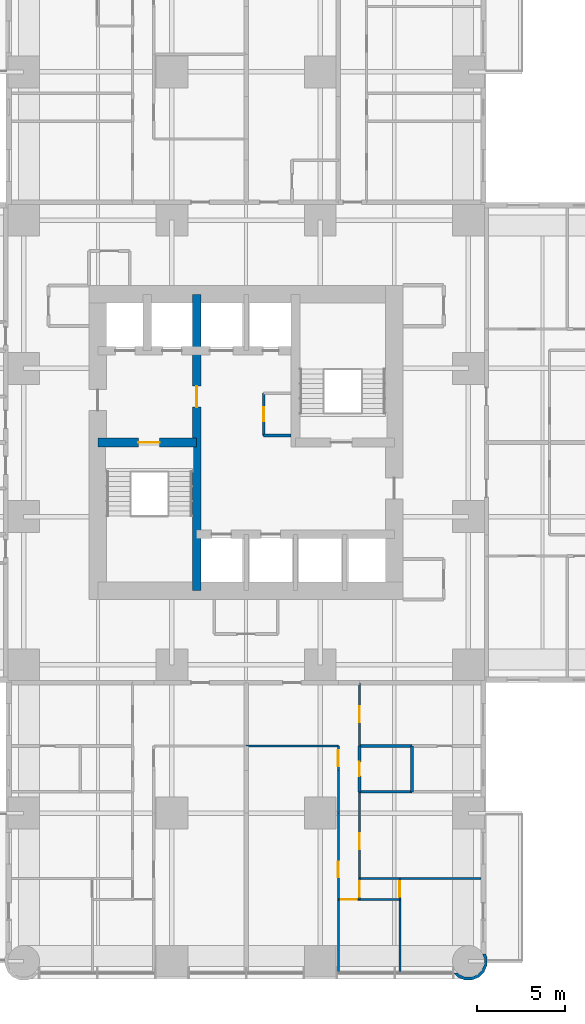
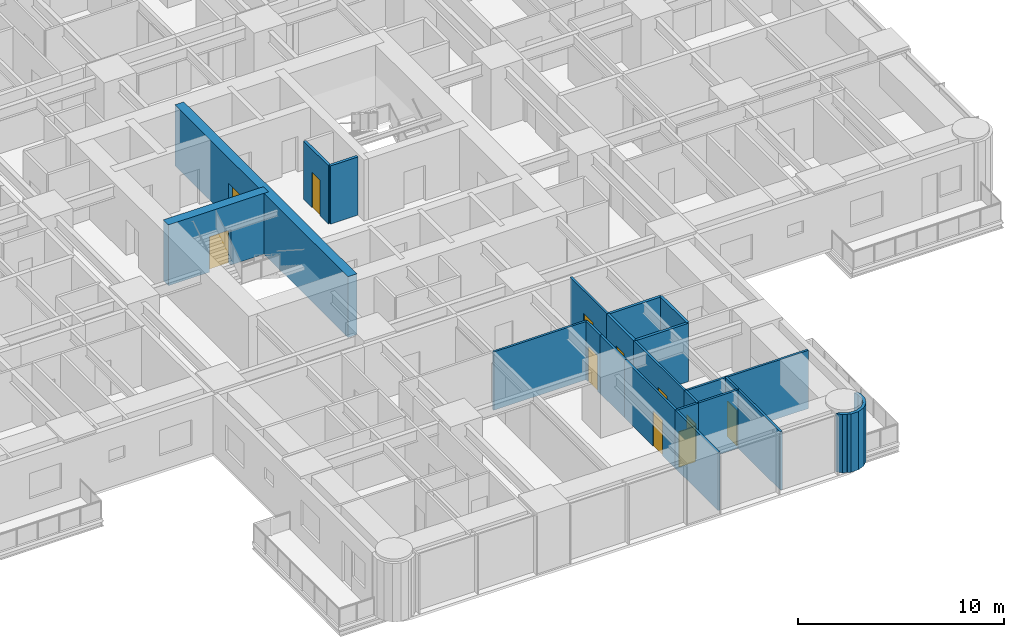
# One storey, part 9 of 17: 23 walls, 11 doors, 11 openings.
"""IFC4 building model written with IfcOpenShell, lengths in metres."""

from ifc_helpers import new_model, si_unit, direction, frame, frame_2d, origin, place, context, subcontext, project, spatial, polyline, rectangle, outline, extrude, material, layer, layer_set, type_object, element, fill, save


model = new_model("IFC4")

# Units and contexts
model_context = context("Model", 3, precision=1e-05, world=origin(), true_north=direction((0.0, 1.0)))
body_context = subcontext(model_context, "Body", "Model", "MODEL_VIEW")
ifc_project = project(units=[si_unit("LENGTHUNIT", "METRE"), si_unit("AREAUNIT", "SQUARE_METRE"), si_unit("VOLUMEUNIT", "CUBIC_METRE"), si_unit("PLANEANGLEUNIT", "RADIAN"), si_unit("MASSUNIT", "GRAM", prefix="KILO")], contexts=[model_context])

# Site, building, storey
site_placement = place(None, origin())
site = spatial("IfcSite", under=ifc_project, at=site_placement, CompositionType="ELEMENT")
building_placement = place(site_placement, origin())
building = spatial("IfcBuilding", under=site, at=building_placement, Name="Torre Alcanfor", CompositionType="ELEMENT")
storey_placement = place(building_placement, frame((0.0, 0.0, 66.89990234375)))
storey = spatial("IfcBuildingStorey", under=building, at=storey_placement, Name="L16", CompositionType="ELEMENT", Elevation=66.89990234375)

# Wall
ifc_material_1 = material(Name="Gypsum board on steel studs", Category="steel")
ifc_layer_1 = layer(ifc_material_1, 0.1201171875)
ifc_layer_set_1 = layer_set([ifc_layer_1], Name="Apartment partition 120")
wall_type_1 = type_object("IfcWallType", Name="Apartment partition 120", PredefinedType="PARTITIONING", material=ifc_layer_set_1)
wall_1_placement = place(storey_placement, frame((29.39990234375, 12.199951171875, 0.0), z_axis=(0.0, 0.0, 1.0), x_axis=(1.0, 0.0, 0.0)))
element("IfcWall", 1, at=wall_1_placement, inside=storey, type_object=wall_type_1, Name="Partition L16-S1-ZAG / L16-S1-LAUND", PredefinedType="PARTITIONING", context=body_context, shape_type="SweptSolid", body=[
    extrude(rectangle(XDim=5.22900390625, YDim=0.1201171875, at=frame_2d((2.614501953125, 0.0))), origin(), (0.0, 0.0, 1.0), 3.4501953125),
])

# Wall, opening, door
wall_2_placement = place(storey_placement, frame((34.62890625, 10.800048828125, 0.0), z_axis=(0.0, 0.0, 1.0), x_axis=(0.0, 1.0, 0.0)))
wall_2 = element("IfcWall", 2, at=wall_2_placement, inside=storey, type_object=wall_type_1, Name="Partition L16-S1-LAUND / L16-S1-HALL", PredefinedType="PARTITIONING", context=body_context, shape_type="SweptSolid", body=[
    extrude(rectangle(XDim=1.39990234375, YDim=0.1201171875, at=frame_2d((0.699951171875, 0.0))), origin(), (0.0, 0.0, 1.0), 3.4501953125),
])
opening_1_placement = place(wall_2_placement, frame((0.25, 0.0, 0.0)))
opening_1 = element("IfcOpeningElement", 3, at=opening_1_placement, cuts=wall_2, Name="Opening D-R1", PredefinedType="OPENING", context=body_context, shape_type="SweptSolid", body=[
    extrude(rectangle(XDim=0.89990234375, YDim=2.10009765625, at=frame_2d((0.449951171875, 1.050048828125))), frame((0.0, 0.070068359375, 0.0), z_axis=(0.0, -1.0, 0.0), x_axis=(1.0, 0.0, 0.0)), (0.0, 0.0, 1.0), 0.14013671875),
])
ifc_material_2 = material(Name="Timber", Category="wood")
door_type_1 = type_object("IfcDoorType", Name="Internal door 900x2100", OperationType="SINGLE_SWING_LEFT", PredefinedType="DOOR", material=ifc_material_2)
door_1_placement = place(opening_1_placement, origin())
door_1 = element("IfcDoor", 4, at=door_1_placement, inside=storey, type_object=door_type_1, Name="Door L16-S1 laund", OperationType="SINGLE_SWING_LEFT", OverallHeight=2.10009765625, OverallWidth=0.89990234375, PredefinedType="DOOR", context=body_context, shape_type="SweptSolid", body=[
    extrude(rectangle(XDim=0.89990234375, YDim=2.10009765625, at=frame_2d((0.449951171875, 1.050048828125))), frame((0.0, 0.02490234375, 0.0), z_axis=(0.0, -1.0, 0.0), x_axis=(1.0, 0.0, 0.0)), (0.0, 0.0, 1.0), 0.050048828125),
])
fill(opening_1, door_1)

# Wall
wall_3_placement = place(storey_placement, frame((34.62890625, 8.39990234375, 0.0), z_axis=(0.0, 0.0, 1.0), x_axis=(0.0, 1.0, 0.0)))
element("IfcWall", 5, at=wall_3_placement, inside=storey, type_object=wall_type_1, Name="Partition L16-S1-KITCHEN / L16-S1-HALL", PredefinedType="PARTITIONING", context=body_context, shape_type="SweptSolid", body=[
    extrude(rectangle(XDim=2.400146484375, YDim=0.1201171875, at=frame_2d((1.2001953125, 0.0))), origin(), (0.0, 0.0, 1.0), 3.4501953125),
])

# Wall, opening, door
wall_4_placement = place(storey_placement, frame((34.62890625, 3.5, 0.0), z_axis=(0.0, 0.0, 1.0), x_axis=(0.0, 1.0, 0.0)))
wall_4 = element("IfcWall", 6, at=wall_4_placement, inside=storey, type_object=wall_type_1, Name="Partition L16-S1-LIVING / L16-S1-HALL", PredefinedType="PARTITIONING", context=body_context, shape_type="SweptSolid", body=[
    extrude(rectangle(XDim=4.89990234375, YDim=0.1201171875, at=frame_2d((2.449951171875, 0.0))), origin(), (0.0, 0.0, 1.0), 3.4501953125),
])
opening_2_placement = place(wall_4_placement, frame((1.25, 0.0, 0.0)))
opening_2 = element("IfcOpeningElement", 7, at=opening_2_placement, cuts=wall_4, Name="Opening D-R1", PredefinedType="OPENING", context=body_context, shape_type="SweptSolid", body=[
    extrude(rectangle(XDim=0.89990234375, YDim=2.10009765625, at=frame_2d((0.449951171875, 1.050048828125))), frame((0.0, 0.070068359375, 0.0), z_axis=(0.0, -1.0, 0.0), x_axis=(1.0, 0.0, 0.0)), (0.0, 0.0, 1.0), 0.14013671875),
])
door_2_placement = place(opening_2_placement, origin())
door_2 = element("IfcDoor", 8, at=door_2_placement, inside=storey, type_object=door_type_1, Name="Door L16-S1 living", OperationType="SINGLE_SWING_RIGHT", OverallHeight=2.10009765625, OverallWidth=0.89990234375, PredefinedType="DOOR", context=body_context, shape_type="SweptSolid", body=[
    extrude(rectangle(XDim=0.89990234375, YDim=2.10009765625, at=frame_2d((0.449951171875, 1.050048828125))), frame((0.0, 0.02490234375, 0.0), z_axis=(0.0, -1.0, 0.0), x_axis=(1.0, 0.0, 0.0)), (0.0, 0.0, 1.0), 0.050048828125),
])
fill(opening_2, door_2)

# Wall
wall_5_placement = place(storey_placement, frame((34.62890625, -0.64990234375, 0.0), z_axis=(0.0, 0.0, 1.0), x_axis=(0.0, 1.0, 0.0)))
element("IfcWall", 9, at=wall_5_placement, inside=storey, type_object=wall_type_1, Name="Partition L16-S1-LIVING / L16-S1-BED2", PredefinedType="PARTITIONING", context=body_context, shape_type="SweptSolid", body=[
    extrude(rectangle(XDim=4.14990234375, YDim=0.1201171875, at=frame_2d((2.074951171875, 0.0))), origin(), (0.0, 0.0, 1.0), 3.4501953125),
])

# Wall, opening, door
wall_6_placement = place(storey_placement, frame((35.8291015625, 12.199951171875, 0.0), z_axis=(0.0, 0.0, 1.0), x_axis=(0.0, 1.0, 0.0)))
wall_6 = element("IfcWall", 10, at=wall_6_placement, inside=storey, type_object=wall_type_1, Name="Partition L16-S1-HALL / L16-S1-SERV", PredefinedType="PARTITIONING", context=body_context, shape_type="SweptSolid", body=[
    extrude(rectangle(XDim=3.574951171875, YDim=0.1201171875, at=frame_2d((1.78759765625, 0.0))), origin(), (0.0, 0.0, 1.0), 3.4501953125),
])
opening_3_placement = place(wall_6_placement, frame((1.35009765625, 0.0, 0.0)))
opening_3 = element("IfcOpeningElement", 11, at=opening_3_placement, cuts=wall_6, Name="Opening D-R1", PredefinedType="OPENING", context=body_context, shape_type="SweptSolid", body=[
    extrude(rectangle(XDim=0.89990234375, YDim=2.10009765625, at=frame_2d((0.449951171875, 1.050048828125))), frame((0.0, 0.070068359375, 0.0), z_axis=(0.0, -1.0, 0.0), x_axis=(1.0, 0.0, 0.0)), (0.0, 0.0, 1.0), 0.14013671875),
])
door_3_placement = place(opening_3_placement, frame((0.89990234375, 0.0, 0.0), z_axis=(0.0, 0.0, 1.0), x_axis=(-1.0, 0.0, 0.0)))
door_3 = element("IfcDoor", 12, at=door_3_placement, inside=storey, type_object=door_type_1, Name="Door L16-S1 serv", OperationType="SINGLE_SWING_LEFT", OverallHeight=2.10009765625, OverallWidth=0.89990234375, PredefinedType="DOOR", context=body_context, shape_type="SweptSolid", body=[
    extrude(rectangle(XDim=0.89990234375, YDim=2.10009765625, at=frame_2d((0.449951171875, 1.050048828125))), frame((0.0, 0.025146484375, 0.0), z_axis=(0.0, -1.0, 0.0), x_axis=(1.0, 0.0, 0.0)), (0.0, 0.0, 1.0), 0.050048828125),
])
fill(opening_3, door_3)

wall_7_placement = place(storey_placement, frame((35.8291015625, 4.699951171875, 0.0), z_axis=(0.0, 0.0, 1.0), x_axis=(0.0, 1.0, 0.0)))
wall_7 = element("IfcWall", 13, at=wall_7_placement, inside=storey, type_object=wall_type_1, Name="Partition L16-S1-HALL / L16-S1-BED3", PredefinedType="PARTITIONING", context=body_context, shape_type="SweptSolid", body=[
    extrude(rectangle(XDim=4.900146484375, YDim=0.1201171875, at=frame_2d((2.4501953125, 0.0))), origin(), (0.0, 0.0, 1.0), 3.4501953125),
])
opening_4_placement = place(wall_7_placement, frame((1.64990234375, 0.0, 0.0)))
opening_4 = element("IfcOpeningElement", 14, at=opening_4_placement, cuts=wall_7, Name="Opening D-R1", PredefinedType="OPENING", context=body_context, shape_type="SweptSolid", body=[
    extrude(rectangle(XDim=0.89990234375, YDim=2.10009765625, at=frame_2d((0.449951171875, 1.050048828125))), frame((0.0, 0.070068359375, 0.0), z_axis=(0.0, -1.0, 0.0), x_axis=(1.0, 0.0, 0.0)), (0.0, 0.0, 1.0), 0.14013671875),
])
door_4_placement = place(opening_4_placement, frame((0.89990234375, 0.0, 0.0), z_axis=(0.0, 0.0, 1.0), x_axis=(-1.0, 0.0, 0.0)))
door_4 = element("IfcDoor", 15, at=door_4_placement, inside=storey, type_object=door_type_1, Name="Door L16-S1 bed3", OperationType="SINGLE_SWING_RIGHT", OverallHeight=2.10009765625, OverallWidth=0.89990234375, PredefinedType="DOOR", context=body_context, shape_type="SweptSolid", body=[
    extrude(rectangle(XDim=0.89990234375, YDim=2.10009765625, at=frame_2d((0.449951171875, 1.050048828125))), frame((0.0, 0.025146484375, 0.0), z_axis=(0.0, -1.0, 0.0), x_axis=(1.0, 0.0, 0.0)), (0.0, 0.0, 1.0), 0.050048828125),
])
fill(opening_4, door_4)

wall_8_placement = place(storey_placement, frame((35.8291015625, 3.5, 0.0), z_axis=(0.0, 0.0, 1.0), x_axis=(0.0, 1.0, 0.0)))
wall_8 = element("IfcWall", 16, at=wall_8_placement, inside=storey, type_object=wall_type_1, Name="Partition L16-S1-HALL / L16-S1-VEST", PredefinedType="PARTITIONING", context=body_context, shape_type="SweptSolid", body=[
    extrude(rectangle(XDim=1.199951171875, YDim=0.1201171875, at=frame_2d((0.60009765625, 0.0))), origin(), (0.0, 0.0, 1.0), 3.4501953125),
])
opening_5_placement = place(wall_8_placement, frame((0.14990234375, 0.0, 0.0)))
opening_5 = element("IfcOpeningElement", 17, at=opening_5_placement, cuts=wall_8, Name="Opening D-R1", PredefinedType="OPENING", context=body_context, shape_type="SweptSolid", body=[
    extrude(rectangle(XDim=0.89990234375, YDim=2.10009765625, at=frame_2d((0.449951171875, 1.050048828125))), frame((0.0, 0.070068359375, 0.0), z_axis=(0.0, -1.0, 0.0), x_axis=(1.0, 0.0, 0.0)), (0.0, 0.0, 1.0), 0.14013671875),
])
door_5_placement = place(opening_5_placement, frame((0.89990234375, 0.0, 0.0), z_axis=(0.0, 0.0, 1.0), x_axis=(-1.0, 0.0, 0.0)))
door_5 = element("IfcDoor", 18, at=door_5_placement, inside=storey, type_object=door_type_1, Name="Door L16-S1 vest", OperationType="SINGLE_SWING_RIGHT", OverallHeight=2.10009765625, OverallWidth=0.89990234375, PredefinedType="DOOR", context=body_context, shape_type="SweptSolid", body=[
    extrude(rectangle(XDim=0.89990234375, YDim=2.10009765625, at=frame_2d((0.449951171875, 1.050048828125))), frame((0.0, 0.025146484375, 0.0), z_axis=(0.0, -1.0, 0.0), x_axis=(1.0, 0.0, 0.0)), (0.0, 0.0, 1.0), 0.050048828125),
])
fill(opening_5, door_5)

wall_9_placement = place(storey_placement, frame((34.62890625, 3.5, 0.0), z_axis=(0.0, 0.0, 1.0), x_axis=(1.0, 0.0, 0.0)))
wall_9 = element("IfcWall", 19, at=wall_9_placement, inside=storey, type_object=wall_type_1, Name="Partition L16-S1-HALL / L16-S1-BED2", PredefinedType="PARTITIONING", context=body_context, shape_type="SweptSolid", body=[
    extrude(rectangle(XDim=1.2001953125, YDim=0.1201171875, at=frame_2d((0.60009765625, 0.0))), origin(), (0.0, 0.0, 1.0), 3.4501953125),
])
opening_6_placement = place(wall_9_placement, frame((0.15087890625, 0.0, 0.0)))
opening_6 = element("IfcOpeningElement", 20, at=opening_6_placement, cuts=wall_9, Name="Opening D-R1", PredefinedType="OPENING", context=body_context, shape_type="SweptSolid", body=[
    extrude(rectangle(XDim=0.89990234375, YDim=2.10009765625, at=frame_2d((0.449951171875, 1.050048828125))), frame((0.0, 0.070068359375, 0.0), z_axis=(0.0, -1.0, 0.0), x_axis=(1.0, 0.0, 0.0)), (0.0, 0.0, 1.0), 0.14013671875),
])
door_6_placement = place(opening_6_placement, frame((0.89990234375, 0.0, 0.0), z_axis=(0.0, 0.0, 1.0), x_axis=(-1.0, 0.0, 0.0)))
door_6 = element("IfcDoor", 21, at=door_6_placement, inside=storey, type_object=door_type_1, Name="Door L16-S1 bed2", OperationType="SINGLE_SWING_RIGHT", OverallHeight=2.10009765625, OverallWidth=0.89990234375, PredefinedType="DOOR", context=body_context, shape_type="SweptSolid", body=[
    extrude(rectangle(XDim=0.89990234375, YDim=2.10009765625, at=frame_2d((0.449951171875, 1.050048828125))), frame((0.0, 0.025146484375, 0.0), z_axis=(0.0, -1.0, 0.0), x_axis=(1.0, 0.0, 0.0)), (0.0, 0.0, 1.0), 0.050048828125),
])
fill(opening_6, door_6)

# Walls
wall_10_placement = place(storey_placement, frame((35.8291015625, 4.699951171875, 0.0), z_axis=(0.0, 0.0, 1.0), x_axis=(1.0, 0.0, 0.0)))
element("IfcWall", 22, at=wall_10_placement, inside=storey, type_object=wall_type_1, Name="Partition L16-S1-BED3 / L16-S1-VEST", PredefinedType="PARTITIONING", context=body_context, shape_type="SweptSolid", body=[
    extrude(rectangle(XDim=2.284912109375, YDim=0.1201171875, at=frame_2d((1.142578125, 0.0))), origin(), (0.0, 0.0, 1.0), 3.4501953125),
])
wall_11_placement = place(storey_placement, frame((38.114013671875, 4.699951171875, 0.0), z_axis=(0.0, 0.0, 1.0), x_axis=(1.0, 0.0, 0.0)))
element("IfcWall", 23, at=wall_11_placement, inside=storey, type_object=wall_type_1, Name="Partition L16-S1-BED3 / L16-S1-MASTER", PredefinedType="PARTITIONING", context=body_context, shape_type="SweptSolid", body=[
    extrude(rectangle(XDim=4.5859375, YDim=0.1201171875, at=frame_2d((2.29296875, 0.0))), origin(), (0.0, 0.0, 1.0), 3.4501953125),
])
wall_12_placement = place(storey_placement, frame((35.8291015625, 3.5, 0.0), z_axis=(0.0, 0.0, 1.0), x_axis=(1.0, 0.0, 0.0)))
element("IfcWall", 24, at=wall_12_placement, inside=storey, type_object=wall_type_1, Name="Partition L16-S1-VEST / L16-S1-BED2", PredefinedType="PARTITIONING", context=body_context, shape_type="SweptSolid", body=[
    extrude(rectangle(XDim=2.284912109375, YDim=0.1201171875, at=frame_2d((1.142578125, 0.0))), origin(), (0.0, 0.0, 1.0), 3.4501953125),
])

# Wall, opening, door
wall_13_placement = place(storey_placement, frame((38.114013671875, 3.5, 0.0), z_axis=(0.0, 0.0, 1.0), x_axis=(0.0, 1.0, 0.0)))
wall_13 = element("IfcWall", 25, at=wall_13_placement, inside=storey, type_object=wall_type_1, Name="Partition L16-S1-VEST / L16-S1-MASTER", PredefinedType="PARTITIONING", context=body_context, shape_type="SweptSolid", body=[
    extrude(rectangle(XDim=1.199951171875, YDim=0.1201171875, at=frame_2d((0.60009765625, 0.0))), origin(), (0.0, 0.0, 1.0), 3.4501953125),
])
opening_7_placement = place(wall_13_placement, frame((0.14990234375, 0.0, 0.0)))
opening_7 = element("IfcOpeningElement", 26, at=opening_7_placement, cuts=wall_13, Name="Opening D-R1", PredefinedType="OPENING", context=body_context, shape_type="SweptSolid", body=[
    extrude(rectangle(XDim=0.89990234375, YDim=2.10009765625, at=frame_2d((0.449951171875, 1.050048828125))), frame((0.0, 0.070068359375, 0.0), z_axis=(0.0, -1.0, 0.0), x_axis=(1.0, 0.0, 0.0)), (0.0, 0.0, 1.0), 0.14013671875),
])
door_7_placement = place(opening_7_placement, origin())
door_7 = element("IfcDoor", 27, at=door_7_placement, inside=storey, type_object=door_type_1, Name="Door L16-S1 master", OperationType="SINGLE_SWING_LEFT", OverallHeight=2.10009765625, OverallWidth=0.89990234375, PredefinedType="DOOR", context=body_context, shape_type="SweptSolid", body=[
    extrude(rectangle(XDim=0.89990234375, YDim=2.10009765625, at=frame_2d((0.449951171875, 1.050048828125))), frame((0.0, 0.02490234375, 0.0), z_axis=(0.0, -1.0, 0.0), x_axis=(1.0, 0.0, 0.0)), (0.0, 0.0, 1.0), 0.050048828125),
])
fill(opening_7, door_7)

# Wall
wall_14_placement = place(storey_placement, frame((38.114013671875, -0.64990234375, 0.0), z_axis=(0.0, 0.0, 1.0), x_axis=(0.0, 1.0, 0.0)))
element("IfcWall", 28, at=wall_14_placement, inside=storey, type_object=wall_type_1, Name="Partition L16-S1-BED2 / L16-S1-MASTER", PredefinedType="PARTITIONING", context=body_context, shape_type="SweptSolid", body=[
    extrude(rectangle(XDim=4.14990234375, YDim=0.1201171875, at=frame_2d((2.074951171875, 0.0))), origin(), (0.0, 0.0, 1.0), 3.4501953125),
])

# Wall, opening, door
ifc_material_3 = material(Name="Concrete f'c 70 MPa", Category="concrete")
ifc_layer_2 = layer(ifc_material_3, 0.5)
ifc_layer_set_2 = layer_set([ifc_layer_2], Name="Core inner wall 500 f'c70")
wall_type_2 = type_object("IfcWallType", Name="Core inner wall 500 f'c70", PredefinedType="SHEAR", material=ifc_layer_set_2)
wall_15_placement = place(storey_placement, frame((26.60009765625, 21.0, 0.0), z_axis=(0.0, 0.0, 1.0), x_axis=(0.0, 1.0, 0.0)))
wall_15 = element("IfcWall", 29, at=wall_15_placement, inside=storey, type_object=wall_type_2, Name="Core wall X266 L16", PredefinedType="SHEAR", context=body_context, shape_type="SweptSolid", body=[
    extrude(rectangle(XDim=16.800048828125, YDim=0.5, at=frame_2d((8.39990234375, 0.0))), origin(), (0.0, 0.0, 1.0), 3.60009765625),
])
opening_8_placement = place(wall_15_placement, frame((10.39990234375, 0.0, 0.0)))
opening_8 = element("IfcOpeningElement", 30, at=opening_8_placement, cuts=wall_15, Name="Opening D-L1", PredefinedType="OPENING", context=body_context, shape_type="SweptSolid", body=[
    extrude(rectangle(XDim=1.199951171875, YDim=2.10009765625, at=frame_2d((0.60009765625, 1.050048828125))), frame((0.0, 0.260009765625, 0.0), z_axis=(0.0, -1.0, 0.0), x_axis=(1.0, 0.0, 0.0)), (0.0, 0.0, 1.0), 0.52001953125),
])
ifc_material_4 = material(Name="Galvanised steel sheet ASTM A653", Category="steel")
door_type_2 = type_object("IfcDoorType", Name="Lobby door FD120 1200x2100", OperationType="SINGLE_SWING_LEFT", PredefinedType="DOOR", material=ifc_material_4)
door_8_placement = place(opening_8_placement, origin())
door_8 = element("IfcDoor", 31, at=door_8_placement, inside=storey, type_object=door_type_2, Name="Lift lobby door L16", OperationType="SINGLE_SWING_LEFT", OverallHeight=2.10009765625, OverallWidth=1.199951171875, PredefinedType="DOOR", context=body_context, shape_type="SweptSolid", body=[
    extrude(rectangle(XDim=1.199951171875, YDim=2.10009765625, at=frame_2d((0.60009765625, 1.050048828125))), frame((0.0, 0.02490234375, 0.0), z_axis=(0.0, -1.0, 0.0), x_axis=(1.0, 0.0, 0.0)), (0.0, 0.0, 1.0), 0.050048828125),
])
fill(opening_8, door_8)

wall_16_placement = place(storey_placement, frame((21.0, 29.39990234375, 0.0), z_axis=(0.0, 0.0, 1.0), x_axis=(1.0, 0.0, 0.0)))
wall_16 = element("IfcWall", 32, at=wall_16_placement, inside=storey, type_object=wall_type_2, Name="Core wall Y294W L16", PredefinedType="SHEAR", context=body_context, shape_type="SweptSolid", body=[
    extrude(rectangle(XDim=5.60009765625, YDim=0.5, at=frame_2d((2.800048828125, 0.0))), origin(), (0.0, 0.0, 1.0), 3.60009765625),
])
opening_9_placement = place(wall_16_placement, frame((2.300048828125, 0.0, 0.0)))
opening_9 = element("IfcOpeningElement", 33, at=opening_9_placement, cuts=wall_16, Name="Opening D-S2", PredefinedType="OPENING", context=body_context, shape_type="SweptSolid", body=[
    extrude(rectangle(XDim=1.199951171875, YDim=2.10009765625, at=frame_2d((0.60009765625, 1.050048828125))), frame((0.0, 0.260009765625, 0.0), z_axis=(0.0, -1.0, 0.0), x_axis=(1.0, 0.0, 0.0)), (0.0, 0.0, 1.0), 0.52001953125),
])
ifc_material_5 = material(Name="Galvanised steel sheet ASTM A653", Category="steel")
door_type_3 = type_object("IfcDoorType", Name="Stair enclosure door FD120 1200x2100", OperationType="SINGLE_SWING_LEFT", PredefinedType="DOOR", material=ifc_material_5)
door_9_placement = place(opening_9_placement, frame((1.199951171875, 0.0, 0.0), z_axis=(0.0, 0.0, 1.0), x_axis=(-1.0, 0.0, 0.0)))
door_9 = element("IfcDoor", 34, at=door_9_placement, inside=storey, type_object=door_type_3, Name="Stair S1 door L16", OperationType="SINGLE_SWING_LEFT", OverallHeight=2.10009765625, OverallWidth=1.199951171875, PredefinedType="DOOR", context=body_context, shape_type="SweptSolid", body=[
    extrude(rectangle(XDim=1.199951171875, YDim=2.10009765625, at=frame_2d((0.599853515625, 1.050048828125))), frame((0.0, 0.025146484375, 0.0), z_axis=(0.0, -1.0, 0.0), x_axis=(1.0, 0.0, 0.0)), (0.0, 0.0, 1.0), 0.050048828125),
])
fill(opening_9, door_9)

# Wall
ifc_material_6 = material(Name="Concrete block masonry, hollow blocks NMX-C-404 9 MPa", Category="masonry")
ifc_layer_3 = layer(ifc_material_6, 0.14990234375)
ifc_layer_set_3 = layer_set([ifc_layer_3], Name="Residents' room partition 150")
wall_type_3 = type_object("IfcWallType", Name="Residents' room partition 150", PredefinedType="PARTITIONING", material=ifc_layer_set_3)
wall_17_placement = place(storey_placement, frame((31.949951171875, 29.800048828125, 0.0), z_axis=(0.0, 0.0, 1.0), x_axis=(-1.0, 0.0, 0.0)))
element("IfcWall", 35, at=wall_17_placement, inside=storey, type_object=wall_type_3, Name="Partition L16-LL / L16-CR1", PredefinedType="PARTITIONING", context=body_context, shape_type="SweptSolid", body=[
    extrude(rectangle(XDim=1.550048828125, YDim=0.14990234375, at=frame_2d((0.77490234375, 0.0))), origin(), (0.0, 0.0, 1.0), 3.4501953125),
])

# Wall, opening, door
wall_18_placement = place(storey_placement, frame((30.39990234375, 29.800048828125, 0.0), z_axis=(0.0, 0.0, 1.0), x_axis=(0.0, 1.0, 0.0)))
wall_18 = element("IfcWall", 36, at=wall_18_placement, inside=storey, type_object=wall_type_3, Name="Partition L16-LL / L16-CR1", PredefinedType="PARTITIONING", context=body_context, shape_type="SweptSolid", body=[
    extrude(rectangle(XDim=2.39990234375, YDim=0.14990234375, at=frame_2d((1.199951171875, 0.0))), origin(), (0.0, 0.0, 1.0), 3.4501953125),
])
opening_10_placement = place(wall_18_placement, frame((0.800048828125, 0.0, 0.0)))
opening_10 = element("IfcOpeningElement", 37, at=opening_10_placement, cuts=wall_18, Name="Opening D-R2", PredefinedType="OPENING", context=body_context, shape_type="SweptSolid", body=[
    extrude(rectangle(XDim=0.800048828125, YDim=2.10009765625, at=frame_2d((0.39990234375, 1.050048828125))), frame((0.0, 0.0849609375, 0.0), z_axis=(0.0, -1.0, 0.0), x_axis=(1.0, 0.0, 0.0)), (0.0, 0.0, 1.0), 0.169921875),
])
ifc_material_7 = material(Name="Timber", Category="wood")
door_type_4 = type_object("IfcDoorType", Name="Bathroom door 800x2100", OperationType="SINGLE_SWING_LEFT", PredefinedType="DOOR", material=ifc_material_7)
door_10_placement = place(opening_10_placement, frame((0.800048828125, 0.0, 0.0), z_axis=(0.0, 0.0, 1.0), x_axis=(-1.0, 0.0, 0.0)))
door_10 = element("IfcDoor", 38, at=door_10_placement, inside=storey, type_object=door_type_4, Name="Cleaners' store door L16", OperationType="SINGLE_SWING_RIGHT", OverallHeight=2.10009765625, OverallWidth=0.800048828125, PredefinedType="DOOR", context=body_context, shape_type="SweptSolid", body=[
    extrude(rectangle(XDim=0.800048828125, YDim=2.10009765625, at=frame_2d((0.400146484375, 1.050048828125))), frame((0.0, 0.025146484375, 0.0), z_axis=(0.0, -1.0, 0.0), x_axis=(1.0, 0.0, 0.0)), (0.0, 0.0, 1.0), 0.050048828125),
])
fill(opening_10, door_10)

# Wall
ifc_material_8 = material(Name="Limestone cladding", Category="masonry")
ifc_layer_4 = layer(ifc_material_8, 0.0400390625, Name="Facing")
ifc_material_9 = material(Name="Ventilated air cavity")
ifc_layer_5 = layer(ifc_material_9, 0.02001953125, ventilated=True, Name="Ventilated joint")
ifc_material_10 = material(Name="Mineral wool insulation", Category="insulation")
ifc_layer_6 = layer(ifc_material_10, 0.10009765625, Name="Insulation")
ifc_material_11 = material(Name="Concrete f'c 35 MPa", Category="concrete")
ifc_layer_7 = layer(ifc_material_11, 0.139892578125, Name="Backing")
ifc_layer_set_4 = layer_set([ifc_layer_4, ifc_layer_5, ifc_layer_6, ifc_layer_7], Name="Rounded corner pier stone-clad 300")
wall_type_4 = type_object("IfcWallType", Name="Rounded corner pier stone-clad 300", PredefinedType="SOLIDWALL", material=ifc_layer_set_4)
wall_19_placement = place(storey_placement, frame((41.23340608, -0.610519256, 0.0), z_axis=(0.0, 0.0, 1.0), x_axis=(0.377204953059, -0.926129809145, 0.0)))
element("IfcWall", 39, at=wall_19_placement, inside=storey, type_object=wall_type_4, Name="Corner pier L16 16", PredefinedType="SOLIDWALL", context=body_context, shape_type="SweptSolid", body=[
    extrude(outline(polyline([(0.31873169437185855, 1.8425336525024494), (-0.07152710704046505, 2.001482809968314), (-0.24009471588869835, 2.0005449414227563), (-0.26941358666453996, 2.017231322070639), (-0.37003424962124987, 1.840731870737274), (-0.10240281114565264, 1.842182010528029), (0.22952066537421467, 1.7069923447343507), (0.48468330510664415, 1.4551793700683648), (0.6237907271323827, 1.1248909220292227), (0.6256685839754508, 0.7664021208386822), (0.49047891818177247, 0.4344786443188148), (0.23866594351578668, 0.1793160045863853), (0.09016005264750862, 0.11695717207098313), (0.01086965602056237, -0.07772001681430692), (0.024436010646714988, -0.08324547999388505), (0.3295868985749782, 0.04527476829386376), (0.48015223740573765, 0.19747796194128653), (0.49902760591309464, 0.19268993376963664), (0.5075741737852856, 0.2253240824532252), (0.6260202259498713, 0.3452676153211709), (0.7849693834157356, 0.7355264167334946), (0.7824906971943995, 1.1572636358175066), (0.6187245413991658, 1.5461003251275562), (0.31873169437185855, 1.8425336525024494)])), origin(), (0.0, 0.0, 1.0), 3.4501953125),
])

# Wall, opening, door
ifc_material_12 = material(Name="Cement board on steel studs", Category="steel")
ifc_layer_8 = layer(ifc_material_12, 0.14990234375)
ifc_layer_set_5 = layer_set([ifc_layer_8], Name="Wet area partition 150")
wall_type_5 = type_object("IfcWallType", Name="Wet area partition 150", PredefinedType="PARTITIONING", material=ifc_layer_set_5)
wall_20_placement = place(storey_placement, frame((35.8291015625, 9.60009765625, 0.0), z_axis=(0.0, 0.0, 1.0), x_axis=(0.0, 1.0, 0.0)))
wall_20 = element("IfcWall", 40, at=wall_20_placement, inside=storey, type_object=wall_type_5, Name="Partition L16-S1-HALL / L16-S1-BATH1", PredefinedType="PARTITIONING", context=body_context, shape_type="SweptSolid", body=[
    extrude(rectangle(XDim=2.599853515625, YDim=0.14990234375, at=frame_2d((1.2998046875, 0.0))), origin(), (0.0, 0.0, 1.0), 3.4501953125),
])
opening_11_placement = place(wall_20_placement, frame((0.89990234375, 0.0, 0.0)))
opening_11 = element("IfcOpeningElement", 41, at=opening_11_placement, cuts=wall_20, Name="Opening D-R2", PredefinedType="OPENING", context=body_context, shape_type="SweptSolid", body=[
    extrude(rectangle(XDim=0.800048828125, YDim=2.10009765625, at=frame_2d((0.39990234375, 1.050048828125))), frame((0.0, 0.0849609375, 0.0), z_axis=(0.0, -1.0, 0.0), x_axis=(1.0, 0.0, 0.0)), (0.0, 0.0, 1.0), 0.169921875),
])
door_11_placement = place(opening_11_placement, frame((0.800048828125, 0.0, 0.0), z_axis=(0.0, 0.0, 1.0), x_axis=(-1.0, 0.0, 0.0)))
door_11 = element("IfcDoor", 42, at=door_11_placement, inside=storey, type_object=door_type_4, Name="Door L16-S1 bath1", OperationType="SINGLE_SWING_RIGHT", OverallHeight=2.10009765625, OverallWidth=0.800048828125, PredefinedType="DOOR", context=body_context, shape_type="SweptSolid", body=[
    extrude(rectangle(XDim=0.800048828125, YDim=2.10009765625, at=frame_2d((0.400146484375, 1.050048828125))), frame((0.0, 0.025146484375, 0.0), z_axis=(0.0, -1.0, 0.0), x_axis=(1.0, 0.0, 0.0)), (0.0, 0.0, 1.0), 0.050048828125),
])
fill(opening_11, door_11)

# Walls
wall_21_placement = place(storey_placement, frame((35.8291015625, 12.199951171875, 0.0), z_axis=(0.0, 0.0, 1.0), x_axis=(1.0, 0.0, 0.0)))
element("IfcWall", 43, at=wall_21_placement, inside=storey, type_object=wall_type_5, Name="Partition L16-S1-SERV / L16-S1-BATH1", PredefinedType="PARTITIONING", context=body_context, shape_type="SweptSolid", body=[
    extrude(rectangle(XDim=2.970947265625, YDim=0.14990234375, at=frame_2d((1.4853515625, 0.0))), origin(), (0.0, 0.0, 1.0), 3.4501953125),
])
wall_22_placement = place(storey_placement, frame((38.800048828125, 9.60009765625, 0.0), z_axis=(0.0, 0.0, 1.0), x_axis=(0.0, 1.0, 0.0)))
element("IfcWall", 44, at=wall_22_placement, inside=storey, type_object=wall_type_5, Name="Partition L16-S1-BATH1 / L16-S1-SBATH", PredefinedType="PARTITIONING", context=body_context, shape_type="SweptSolid", body=[
    extrude(rectangle(XDim=2.599853515625, YDim=0.14990234375, at=frame_2d((1.2998046875, 0.0))), origin(), (0.0, 0.0, 1.0), 3.4501953125),
])
wall_23_placement = place(storey_placement, frame((35.8291015625, 9.60009765625, 0.0), z_axis=(0.0, 0.0, 1.0), x_axis=(1.0, 0.0, 0.0)))
element("IfcWall", 45, at=wall_23_placement, inside=storey, type_object=wall_type_5, Name="Partition L16-S1-BATH1 / L16-S1-BED3", PredefinedType="PARTITIONING", context=body_context, shape_type="SweptSolid", body=[
    extrude(rectangle(XDim=2.970947265625, YDim=0.14990234375, at=frame_2d((1.4853515625, 0.0))), origin(), (0.0, 0.0, 1.0), 3.4501953125),
])

save(model, "model.ifc")
